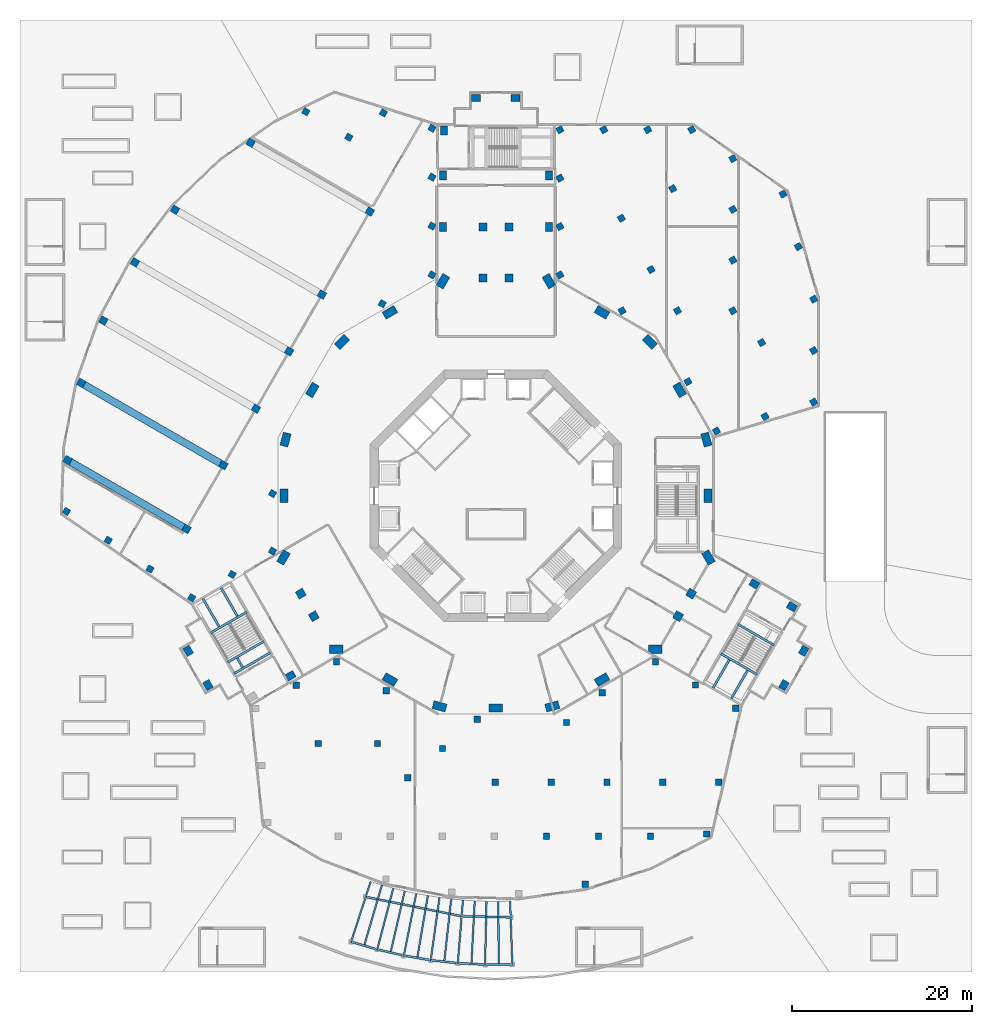
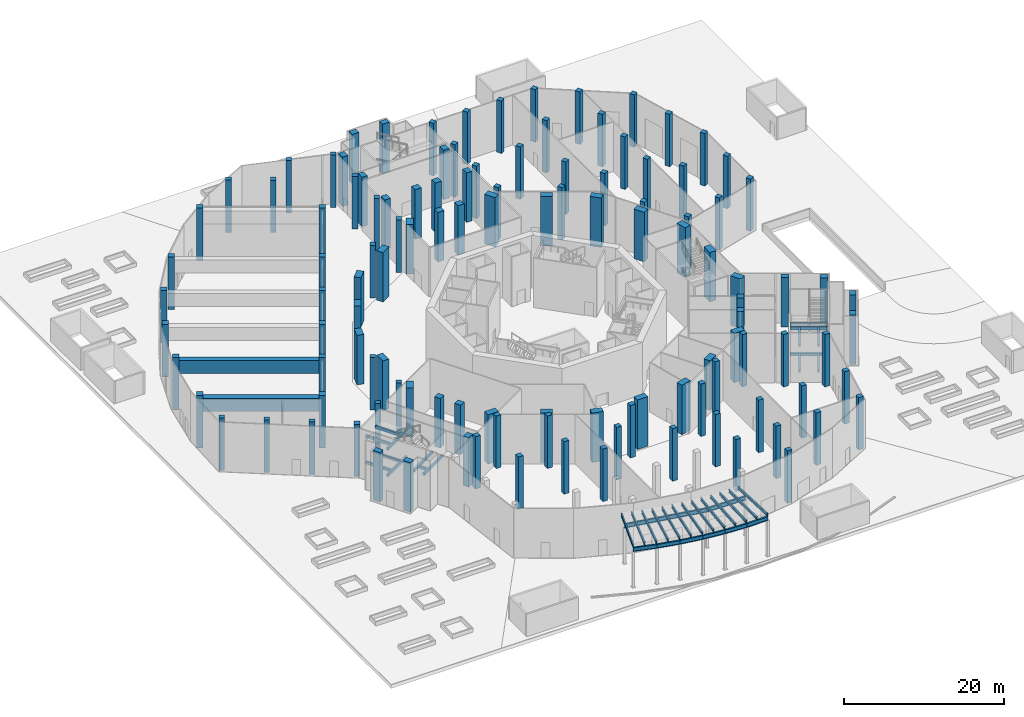
# One storey, part 2 of 30: 118 columns, 39 beams.
"""IFC4 building model written with IfcOpenShell, lengths in metres."""

from ifc_helpers import new_model, si_unit, direction, frame, origin, origin_2d, place, context, subcontext, project, spatial, rectangle, i_section, extrude, material, material_profile, profile_set, type_object, element, save


model = new_model("IFC4")

# Units and contexts
model_context = context("Model", 3, precision=1e-05, world=origin(), true_north=direction((0.0, 1.0)))
body_context = subcontext(model_context, "Body", "Model", "MODEL_VIEW")
ifc_project = project(units=[si_unit("LENGTHUNIT", "METRE"), si_unit("AREAUNIT", "SQUARE_METRE"), si_unit("VOLUMEUNIT", "CUBIC_METRE"), si_unit("PLANEANGLEUNIT", "RADIAN"), si_unit("MASSUNIT", "GRAM", prefix="KILO")], contexts=[model_context])

# Site, building, storey
site_placement = place(None, origin())
site = spatial("IfcSite", under=ifc_project, at=site_placement, CompositionType="ELEMENT")
building_placement = place(site_placement, origin())
building = spatial("IfcBuilding", under=site, at=building_placement, Name="Verdalira Terraces Hotel", CompositionType="ELEMENT")
storey_placement = place(building_placement, origin())
storey = spatial("IfcBuildingStorey", under=building, at=storey_placement, Name="L00", CompositionType="ELEMENT", Elevation=0.0)

# Columns
ifc_material_1 = material(Name="Concrete C80", Category="concrete")
ifc_material_profile_1 = material_profile(ifc_material_1, rectangle(XDim=1.0, YDim=0.800049, at=origin_2d()), Name="RC 1000X800")
ifc_profile_set_1 = profile_set([ifc_material_profile_1], Name="Concrete C80")
column_type_1 = type_object("IfcColumnType", Name="Column RC 1000X800 C80", PredefinedType="COLUMN", material=ifc_profile_set_1)
for number, where, z_axis, x_axis, name in (
    (1, (5.899902, 29.972168, 0.0), (0.0, 0.0, 1.0), (0.0, 1.0, 0.0), "Column C01"),
    (2, (5.899902, 35.686035, 0.0), (0.0, 0.0, 1.0), (0.0, 1.0, 0.0), "Column C02"),
    (3, (-5.800049, 40.699951, 0.0), (0.0, 0.0, 1.0), (0.0, -1.0, 0.0), "Column C03"),
    (4, (-5.899902, 35.686035, 0.0), (0.0, 0.0, 1.0), (0.0, -1.0, 0.0), "Column C04"),
    (5, (-5.899902, 29.972168, 0.0), (0.0, 0.0, 1.0), (0.0, -1.0, 0.0), "Column C05"),
    (6, (-34.268799, -17.244629, 0.0), (0.0, 0.0, 1.0), (0.5, -0.866025404, 0.0), "Column C13"),
    (7, (-32.068848, -21.05542, 0.0), (0.0, 0.0, 1.0), (0.5, -0.866025404, 0.0), "Column C14"),
    (8, (-22.882812, -20.02417, 0.0), (0.0, 0.0, 1.0), (0.866025404, 0.5, 0.0), "Column C16"),
    (9, (32.068848, -21.05542, 0.0), (0.0, 0.0, 1.0), (0.5, 0.866025404, 0.0), "Column C24"),
    (10, (34.268799, -17.244629, 0.0), (0.0, 0.0, 1.0), (0.5, 0.866025404, 0.0), "Column C25"),
    (11, (32.951172, -12.327148, 0.0), (0.0, 0.0, 1.0), (-0.866025404, 0.5, 0.0), "Column C26"),
    (12, (28.782715, -9.804932, 0.0), (0.0, 0.0, 1.0), (-0.866025404, 0.5, 0.0), "Column C27"),
    (13, (2.199951, 44.300049, 0.0), (0.0, 0.0, 1.0), (-1.0, 0.0, 0.0), "Column C35"),
    (14, (-2.199951, 44.300049, 0.0), (0.0, 0.0, 1.0), (-1.0, 0.0, 0.0), "Column C36"),
):
    element("IfcColumn", number, at=place(storey_placement, frame(where, z_axis=z_axis, x_axis=x_axis)), inside=storey, type_object=column_type_1, Name=name, PredefinedType="COLUMN", context=body_context, shape_type="SweptSolid", body=[
        extrude(rectangle(XDim=1.0, YDim=0.800049, at=origin_2d()), origin(), (0.0, 0.0, 1.0), 7.550049),
    ])
ifc_material_2 = material(Name="Concrete C80", Category="concrete")
ifc_material_profile_2 = material_profile(ifc_material_2, rectangle(XDim=1.5, YDim=0.899902, at=origin_2d()), Name="RC 1500X900")
ifc_profile_set_2 = profile_set([ifc_material_profile_2], Name="Concrete C80")
column_type_2 = type_object("IfcColumnType", Name="Column RC 1500X900 C80", PredefinedType="COLUMN", material=ifc_profile_set_2)
for number, where, z_axis, x_axis, name in (
    (15, (-5.899902, 23.911865, 0.0), (0.0, 0.0, 1.0), (0.5, 0.866025404, 0.0), "Column C06"),
    (16, (-11.804199, 20.445312, 0.0), (0.0, 0.0, 1.0), (-0.866025404, -0.5, 0.0), "Column C07"),
    (17, (-17.150635, 17.150635, 0.0), (0.0, 0.0, 1.0), (0.707106781, 0.707106781, 0.0), "Column C08"),
    (18, (-20.445312, 11.804199, 0.0), (0.0, 0.0, 1.0), (-0.5, -0.866025404, 0.0), "Column C09"),
    (19, (-23.428223, 6.277588, 0.0), (0.0, 0.0, 1.0), (0.258819045, 0.965925826, 0.0), "Column C10"),
    (20, (-23.608398, 0.0, 0.0), (0.0, 0.0, 1.0), (0.0, -1.0, 0.0), "Column C11"),
    (21, (-23.658203, -6.846436, 0.0), (0.0, 0.0, 1.0), (0.5, 0.866025404, 0.0), "Column C12"),
    (22, (-17.758301, -17.06543, 0.0), (0.0, 0.0, 1.0), (-1.0, 0.0, 0.0), "Column C17"),
    (23, (-11.804199, -20.445312, 0.0), (0.0, 0.0, 1.0), (0.866025404, -0.5, 0.0), "Column C18"),
    (24, (-6.277588, -23.428223, 0.0), (0.0, 0.0, 1.0), (-0.965925826, 0.258819045, 0.0), "Column C19"),
    (25, (0.0, -23.608398, 0.0), (0.0, 0.0, 1.0), (1.0, 0.0, 0.0), "Column C20"),
    (26, (6.277588, -23.428223, 0.0), (0.0, 0.0, 1.0), (-0.965925826, -0.258819045, 0.0), "Column C21"),
    (27, (11.804199, -20.445312, 0.0), (0.0, 0.0, 1.0), (0.866025404, 0.5, 0.0), "Column C22"),
    (28, (17.758301, -17.06543, 0.0), (0.0, 0.0, 1.0), (-1.0, 0.0, 0.0), "Column C23"),
    (29, (23.658203, -6.846436, 0.0), (0.0, 0.0, 1.0), (0.5, -0.866025404, 0.0), "Column C28"),
    (30, (23.608398, 0.0, 0.0), (0.0, 0.0, 1.0), (0.0, 1.0, 0.0), "Column C29"),
    (31, (23.428223, 6.277588, 0.0), (0.0, 0.0, 1.0), (0.258819045, -0.965925826, 0.0), "Column C30"),
    (32, (20.445312, 11.804199, 0.0), (0.0, 0.0, 1.0), (-0.5, 0.866025404, 0.0), "Column C31"),
    (33, (17.150635, 17.150635, 0.0), (0.0, 0.0, 1.0), (0.707106781, -0.707106781, 0.0), "Column C32"),
    (34, (11.804199, 20.445312, 0.0), (0.0, 0.0, 1.0), (-0.866025404, 0.5, 0.0), "Column C33"),
    (35, (5.899902, 23.911865, 0.0), (0.0, 0.0, 1.0), (0.5, -0.866025404, 0.0), "Column C34"),
):
    element("IfcColumn", number, at=place(storey_placement, frame(where, z_axis=z_axis, x_axis=x_axis)), inside=storey, type_object=column_type_2, Name=name, PredefinedType="COLUMN", context=body_context, shape_type="SweptSolid", body=[
        extrude(rectangle(XDim=1.5, YDim=0.899902, at=origin_2d()), origin(), (0.0, 0.0, 1.0), 7.550049),
    ])
ifc_material_3 = material(Name="Concrete C80", Category="concrete")
ifc_material_profile_3 = material_profile(ifc_material_3, rectangle(XDim=0.899902, YDim=0.899902, at=origin_2d()), Name="RC 900X900")
ifc_profile_set_3 = profile_set([ifc_material_profile_3], Name="Concrete C80")
column_type_3 = type_object("IfcColumnType", Name="Column RC 900X900 C80", PredefinedType="COLUMN", material=ifc_profile_set_3)
for number, where, z_axis, x_axis, name in (
    (36, (1.449951, 24.258301, 0.0), (0.0, 0.0, 1.0), (0.0, 1.0, 0.0), "Column C37"),
    (37, (-1.449951, 24.258301, 0.0), (0.0, 0.0, 1.0), (0.0, 1.0, 0.0), "Column C38"),
    (38, (1.449951, 29.972168, 0.0), (0.0, 0.0, 1.0), (0.0, 1.0, 0.0), "Column C39"),
    (39, (-1.449951, 29.972168, 0.0), (0.0, 0.0, 1.0), (0.0, 1.0, 0.0), "Column C40"),
    (40, (-21.733398, -10.873291, 0.0), (0.0, 0.0, 1.0), (-0.866025404, -0.5, 0.0), "Column C41"),
    (41, (-20.283203, -13.38501, 0.0), (0.0, 0.0, 1.0), (-0.866025404, -0.5, 0.0), "Column C42"),
    (42, (20.283203, -13.38501, 0.0), (0.0, 0.0, 1.0), (0.866025404, -0.5, 0.0), "Column C43"),
    (43, (21.733398, -10.873291, 0.0), (0.0, 0.0, 1.0), (0.866025404, -0.5, 0.0), "Column C44"),
):
    element("IfcColumn", number, at=place(storey_placement, frame(where, z_axis=z_axis, x_axis=x_axis)), inside=storey, type_object=column_type_3, Name=name, PredefinedType="COLUMN", context=body_context, shape_type="SweptSolid", body=[
        extrude(rectangle(XDim=0.899902, YDim=0.899902, at=origin_2d()), origin(), (0.0, 0.0, 1.0), 7.550049),
    ])
ifc_material_4 = material(Name="Concrete C60", Category="concrete")
ifc_material_profile_4 = material_profile(ifc_material_4, rectangle(XDim=0.699951, YDim=0.699951, at=origin_2d()), Name="RC 700X700")
ifc_profile_set_4 = profile_set([ifc_material_profile_4], Name="Concrete C60")
column_type_4 = type_object("IfcColumnType", Name="Wing column RC 700X700 Concrete C60", PredefinedType="COLUMN", material=ifc_profile_set_4)
for number, where, z_axis, x_axis, name in (
    (44, (-47.825439, -1.727783, 0.0), (0.0, 0.0, 1.0), (-0.866025404, 0.5, 0.0), "Wing column PC01"),
    (45, (-43.17627, -4.931152, 0.0), (0.0, 0.0, 1.0), (-0.866025404, 0.5, 0.0), "Wing column PC03"),
    (46, (-38.5271, -8.134521, 0.0), (0.0, 0.0, 1.0), (-0.866025404, 0.5, 0.0), "Wing column PC04"),
    (47, (-24.878418, -6.14209, 0.0), (0.0, 0.0, 1.0), (-0.866025404, 0.5, 0.0), "Wing column PC05"),
    (48, (-29.378174, -8.73999, 0.0), (0.0, 0.0, 1.0), (-0.866025404, 0.5, 0.0), "Wing column PC06"),
    (49, (-33.878174, -11.337891, 0.0), (0.0, 0.0, 1.0), (-0.866025404, 0.5, 0.0), "Wing column PC07"),
    (50, (-7.120117, 40.945801, 0.0), (0.0, 0.0, 1.0), (-0.866025404, 0.5, 0.0), "Wing column PC08"),
    (51, (-7.120117, 35.502686, 0.0), (0.0, 0.0, 1.0), (-0.866025404, 0.5, 0.0), "Wing column PC09"),
    (52, (-7.120117, 30.059326, 0.0), (0.0, 0.0, 1.0), (-0.866025404, 0.5, 0.0), "Wing column PC10"),
    (53, (-7.120117, 24.616211, 0.0), (0.0, 0.0, 1.0), (-0.866025404, 0.5, 0.0), "Wing column PC11"),
    (54, (-12.536133, 42.657227, 0.0), (0.0, 0.0, 1.0), (-0.866025404, 0.5, 0.0), "Wing column PC12"),
    (55, (-16.38208, 39.942139, 0.0), (0.0, 0.0, 1.0), (-0.866025404, 0.5, 0.0), "Wing column PC13"),
    (56, (-21.168457, 42.785889, 0.0), (0.0, 0.0, 1.0), (-0.866025404, 0.5, 0.0), "Wing column PC15"),
    (57, (-12.666016, 21.414307, 0.0), (0.0, 0.0, 1.0), (-0.866025404, 0.5, 0.0), "Wing column PC16"),
    (58, (-24.878418, 0.261963, 0.0), (0.0, 0.0, 1.0), (-0.866025404, 0.5, 0.0), "Wing column PC27"),
    (59, (-22.253418, -21.06958, 0.0), (0.0, 0.0, 1.0), (0.0, -1.0, 0.0), "Wing column PC29"),
    (60, (-17.758301, -18.474121, 0.0), (0.0, 0.0, 1.0), (0.0, -1.0, 0.0), "Wing column PC30"),
    (61, (-19.800049, -27.55835, 0.0), (0.0, 0.0, 1.0), (0.0, -1.0, 0.0), "Wing column PC32"),
    (62, (-12.212158, -21.67627, 0.0), (0.0, 0.0, 1.0), (0.0, -1.0, 0.0), "Wing column PC34"),
    (63, (-13.199951, -27.55835, 0.0), (0.0, 0.0, 1.0), (0.0, -1.0, 0.0), "Wing column PC35"),
    (64, (-9.82959, -31.37915, 0.0), (0.0, 0.0, 1.0), (0.0, -1.0, 0.0), "Wing column PC37"),
    (65, (-5.955811, -28.128662, 0.0), (0.0, 0.0, 1.0), (0.0, -1.0, 0.0), "Wing column PC40"),
    (66, (-2.082275, -24.878418, 0.0), (0.0, 0.0, 1.0), (0.0, -1.0, 0.0), "Wing column PC43"),
    (67, (-0.068848, -31.879883, 0.0), (0.0, 0.0, 1.0), (0.0, -1.0, 0.0), "Wing column PC45"),
    (68, (5.616211, -37.879883, 0.0), (0.0, 0.0, 1.0), (0.0, -1.0, 0.0), "Wing column PC47"),
    (69, (6.146729, -31.879883, 0.0), (0.0, 0.0, 1.0), (0.0, -1.0, 0.0), "Wing column PC48"),
    (70, (9.936035, -43.251221, 0.0), (0.0, 0.0, 1.0), (0.0, -1.0, 0.0), "Wing column PC49"),
    (71, (11.414551, -37.879883, 0.0), (0.0, 0.0, 1.0), (0.0, -1.0, 0.0), "Wing column PC50"),
    (72, (7.860107, -25.226807, 0.0), (0.0, 0.0, 1.0), (0.0, -1.0, 0.0), "Wing column PC51"),
    (73, (12.362549, -31.879883, 0.0), (0.0, 0.0, 1.0), (0.0, -1.0, 0.0), "Wing column PC52"),
    (74, (17.212891, -37.879883, 0.0), (0.0, 0.0, 1.0), (0.0, -1.0, 0.0), "Wing column PC53"),
    (75, (11.824707, -21.899902, 0.0), (0.0, 0.0, 1.0), (0.0, -1.0, 0.0), "Wing column PC54"),
    (76, (18.578125, -31.879883, 0.0), (0.0, 0.0, 1.0), (0.0, -1.0, 0.0), "Wing column PC55"),
    (77, (23.460449, -37.647217, 0.0), (0.0, 0.0, 1.0), (0.0, -1.0, 0.0), "Wing column PC56"),
    (78, (24.793945, -31.879883, 0.0), (0.0, 0.0, 1.0), (0.0, -1.0, 0.0), "Wing column PC57"),
    (79, (17.758301, -18.474121, 0.0), (0.0, 0.0, 1.0), (0.0, -1.0, 0.0), "Wing column PC58"),
    (80, (22.229004, -21.05542, 0.0), (0.0, 0.0, 1.0), (0.0, -1.0, 0.0), "Wing column PC59"),
    (81, (26.699951, -23.636719, 0.0), (0.0, 0.0, 1.0), (0.0, -1.0, 0.0), "Wing column PC60"),
    (82, (24.550293, 7.233887, 0.0), (0.0, 0.0, 1.0), (0.866025404, 0.5, 0.0), "Wing column PC61"),
    (83, (29.965088, 8.848145, 0.0), (0.0, 0.0, 1.0), (0.866025404, 0.5, 0.0), "Wing column PC62"),
    (84, (35.379883, 10.462158, 0.0), (0.0, 0.0, 1.0), (0.866025404, 0.5, 0.0), "Wing column PC63"),
    (85, (35.379883, 16.186768, 0.0), (0.0, 0.0, 1.0), (0.866025404, 0.5, 0.0), "Wing column PC64"),
    (86, (29.582031, 17.079102, 0.0), (0.0, 0.0, 1.0), (0.866025404, 0.5, 0.0), "Wing column PC65"),
    (87, (21.381348, 12.723145, 0.0), (0.0, 0.0, 1.0), (0.866025404, 0.5, 0.0), "Wing column PC66"),
    (88, (35.379883, 21.911377, 0.0), (0.0, 0.0, 1.0), (0.866025404, 0.5, 0.0), "Wing column PC67"),
    (89, (26.379883, 20.620117, 0.0), (0.0, 0.0, 1.0), (0.866025404, 0.5, 0.0), "Wing column PC68"),
    (90, (33.672852, 27.764893, 0.0), (0.0, 0.0, 1.0), (0.866025404, 0.5, 0.0), "Wing column PC69"),
    (91, (26.379883, 26.264893, 0.0), (0.0, 0.0, 1.0), (0.866025404, 0.5, 0.0), "Wing column PC70"),
    (92, (20.210938, 20.620117, 0.0), (0.0, 0.0, 1.0), (0.866025404, 0.5, 0.0), "Wing column PC71"),
    (93, (31.965576, 33.618164, 0.0), (0.0, 0.0, 1.0), (0.866025404, 0.5, 0.0), "Wing column PC72"),
    (94, (26.379883, 31.909912, 0.0), (0.0, 0.0, 1.0), (0.866025404, 0.5, 0.0), "Wing column PC73"),
    (95, (26.379883, 37.554688, 0.0), (0.0, 0.0, 1.0), (0.866025404, 0.5, 0.0), "Wing column PC74"),
    (96, (17.266113, 25.210693, 0.0), (0.0, 0.0, 1.0), (0.866025404, 0.5, 0.0), "Wing column PC75"),
    (97, (14.041748, 20.620117, 0.0), (0.0, 0.0, 1.0), (0.866025404, 0.5, 0.0), "Wing column PC76"),
    (98, (19.681885, 34.226562, 0.0), (0.0, 0.0, 1.0), (0.866025404, 0.5, 0.0), "Wing column PC77"),
    (99, (21.803467, 40.780029, 0.0), (0.0, 0.0, 1.0), (0.866025404, 0.5, 0.0), "Wing column PC78"),
    (100, (13.966309, 30.926514, 0.0), (0.0, 0.0, 1.0), (0.866025404, 0.5, 0.0), "Wing column PC79"),
    (101, (16.908936, 40.780029, 0.0), (0.0, 0.0, 1.0), (0.866025404, 0.5, 0.0), "Wing column PC80"),
    (102, (12.014404, 40.780029, 0.0), (0.0, 0.0, 1.0), (0.866025404, 0.5, 0.0), "Wing column PC81"),
    (103, (7.120117, 24.616211, 0.0), (0.0, 0.0, 1.0), (0.866025404, 0.5, 0.0), "Wing column PC82"),
    (104, (7.120117, 30.00415, 0.0), (0.0, 0.0, 1.0), (0.866025404, 0.5, 0.0), "Wing column PC83"),
    (105, (7.120117, 35.39209, 0.0), (0.0, 0.0, 1.0), (0.866025404, 0.5, 0.0), "Wing column PC84"),
    (106, (7.120117, 40.780029, 0.0), (0.0, 0.0, 1.0), (0.866025404, 0.5, 0.0), "Wing column PC85"),
):
    element("IfcColumn", number, at=place(storey_placement, frame(where, z_axis=z_axis, x_axis=x_axis)), inside=storey, type_object=column_type_4, Name=name, PredefinedType="COLUMN", context=body_context, shape_type="SweptSolid", body=[
        extrude(rectangle(XDim=0.699951, YDim=0.699951, at=origin_2d()), origin(), (0.0, 0.0, 1.0), 8.0),
    ])
ifc_material_5 = material(Name="Concrete C60", Category="concrete")
ifc_material_profile_5 = material_profile(ifc_material_5, rectangle(XDim=0.800049, YDim=0.800049, at=origin_2d()), Name="RC 800X800")
ifc_profile_set_5 = profile_set([ifc_material_profile_5], Name="Concrete C60")
column_type_5 = type_object("IfcColumnType", Name="Wing column RC 800X800 Concrete C60", PredefinedType="COLUMN", material=ifc_profile_set_5)
for number, where, z_axis, x_axis, name in (
    (107, (-34.44873, -3.666992, 0.0), (0.0, 0.0, 1.0), (-0.866025404, 0.5, 0.0), "Wing column PC02"),
    (108, (-14.048584, 31.666992, 0.0), (0.0, 0.0, 1.0), (-0.866025404, 0.5, 0.0), "Wing column PC14"),
    (109, (-27.311523, 39.324219, 0.0), (0.0, 0.0, 1.0), (-0.866025404, 0.5, 0.0), "Wing column PC17"),
    (110, (-19.383789, 22.426514, 0.0), (0.0, 0.0, 1.0), (-0.866025404, 0.5, 0.0), "Wing column PC18"),
    (111, (-35.733398, 31.865967, 0.0), (0.0, 0.0, 1.0), (-0.866025404, 0.5, 0.0), "Wing column PC19"),
    (112, (-23.038818, 16.095703, 0.0), (0.0, 0.0, 1.0), (-0.866025404, 0.5, 0.0), "Wing column PC20"),
    (113, (-40.200684, 26.004395, 0.0), (0.0, 0.0, 1.0), (-0.866025404, 0.5, 0.0), "Wing column PC21"),
    (114, (-43.71582, 19.525879, 0.0), (0.0, 0.0, 1.0), (-0.866025404, 0.5, 0.0), "Wing column PC22"),
    (115, (-26.722656, 9.714844, 0.0), (0.0, 0.0, 1.0), (-0.866025404, 0.5, 0.0), "Wing column PC23"),
    (116, (-46.194336, 12.585205, 0.0), (0.0, 0.0, 1.0), (-0.866025404, 0.5, 0.0), "Wing column PC24"),
    (117, (-30.347656, 3.436279, 0.0), (0.0, 0.0, 1.0), (-0.866025404, 0.5, 0.0), "Wing column PC25"),
    (118, (-47.71167, 3.990479, 0.0), (0.0, 0.0, 1.0), (-0.866025404, 0.5, 0.0), "Wing column PC26"),
):
    element("IfcColumn", number, at=place(storey_placement, frame(where, z_axis=z_axis, x_axis=x_axis)), inside=storey, type_object=column_type_5, Name=name, PredefinedType="COLUMN", context=body_context, shape_type="SweptSolid", body=[
        extrude(rectangle(XDim=0.800049, YDim=0.800049, at=origin_2d()), origin(), (0.0, 0.0, 1.0), 8.0),
    ])

# Beams
ifc_material_6 = material(Name="Concrete C60", Category="concrete")
ifc_material_profile_6 = material_profile(ifc_material_6, rectangle(XDim=0.800049, YDim=2.0, at=origin_2d()), Name="RC 800X2000")
ifc_profile_set_6 = profile_set([ifc_material_profile_6], Name="Concrete C60")
beam_type_1 = type_object("IfcBeamType", Name="Ballroom roof girder RC 800X2000 Concrete C60", PredefinedType="BEAM", material=ifc_profile_set_6)
beam_1_placement = place(storey_placement, frame((-30.347656, 3.436279, 6.550049), z_axis=(-0.866029166, 0.499993483, 0.0), x_axis=(-0.499993483, -0.866029166, 0.0)))
element("IfcBeam", 119, at=beam_1_placement, inside=storey, type_object=beam_type_1, Name="Ballroom roof girder GH5", PredefinedType="BEAM", context=body_context, shape_type="SweptSolid", body=[
    extrude(rectangle(XDim=0.800049, YDim=2.0, at=origin_2d()), origin(), (0.0, 0.0, 1.0), 18.298096),
])
beam_2_placement = place(storey_placement, frame((-34.44873, -3.666992, 6.550049), z_axis=(-0.866022321, 0.50000534, 0.0), x_axis=(-0.50000534, -0.866022321, 0.0)))
element("IfcBeam", 120, at=beam_2_placement, inside=storey, type_object=beam_type_1, Name="Ballroom roof girder GH6", PredefinedType="BEAM", context=body_context, shape_type="SweptSolid", body=[
    extrude(rectangle(XDim=0.800049, YDim=2.0, at=origin_2d()), origin(), (0.0, 0.0, 1.0), 15.314697),
])
ifc_material_7 = material(Name="Steel ASTM A992 Grade 50", Category="steel")
ifc_material_profile_7 = material_profile(ifc_material_7, i_section(OverallWidth=0.228271, OverallDepth=0.607178, WebThickness=0.01123, FlangeThickness=0.017334, FilletRadius=0.012695, at=origin_2d()), Name="W24X76")
ifc_profile_set_7 = profile_set([ifc_material_profile_7], Name="Steel ASTM A992 Grade 50")
beam_type_2 = type_object("IfcBeamType", Name="Canopy edge beam W24X76", PredefinedType="BEAM", material=ifc_profile_set_7)
for number, where, z_axis, x_axis, name in (
    (121, (-16.130615, -49.645264, 5.696533), (0.959654359, -0.281182345, 0.0), (0.281182345, 0.959654359, 0.0), "Canopy edge beam KB01"),
    (122, (-13.216797, -50.499023, 5.696533), (0.974364085, -0.224976953, 0.0), (0.224976953, 0.974364085, 0.0), "Canopy edge beam KB02"),
):
    element("IfcBeam", number, at=place(storey_placement, frame(where, z_axis=z_axis, x_axis=x_axis)), inside=storey, type_object=beam_type_2, Name=name, PredefinedType="BEAM", context=body_context, shape_type="SweptSolid", body=[
        extrude(i_section(OverallWidth=0.228271, OverallDepth=0.607178, WebThickness=0.01123, FlangeThickness=0.017334, FilletRadius=0.012695, at=origin_2d()), origin(), (0.0, 0.0, 1.0), 3.036377),
    ])
for number, where, z_axis, x_axis, name in (
    (123, (-10.258301, -51.182129, 5.696533), (0.985807583, -0.167879148, 0.0), (0.167879148, 0.985807583, 0.0), "Canopy edge beam KB03"),
    (124, (-7.264893, -51.691895, 5.696533), (0.993888636, -0.110387405, 0.0), (0.110387405, 0.993888636, 0.0), "Canopy edge beam KB04"),
):
    element("IfcBeam", number, at=place(storey_placement, frame(where, z_axis=z_axis, x_axis=x_axis)), inside=storey, type_object=beam_type_2, Name=name, PredefinedType="BEAM", context=body_context, shape_type="SweptSolid", body=[
        extrude(i_section(OverallWidth=0.228271, OverallDepth=0.607178, WebThickness=0.01123, FlangeThickness=0.017334, FilletRadius=0.012695, at=origin_2d()), origin(), (0.0, 0.0, 1.0), 3.036621),
    ])
for number, where, z_axis, x_axis, name in (
    (125, (-4.246826, -52.0271, 5.696533), (0.998633334, -0.052263419, 0.0), (0.052263419, 0.998633334, 0.0), "Canopy edge beam KB05"),
    (126, (-1.2146, -52.185791, 5.696533), (0.999983243, 0.00578908, 0.0), (-0.00578908, 0.999983243, 0.0), "Canopy edge beam KB06"),
):
    element("IfcBeam", number, at=place(storey_placement, frame(where, z_axis=z_axis, x_axis=x_axis)), inside=storey, type_object=beam_type_2, Name=name, PredefinedType="BEAM", context=body_context, shape_type="SweptSolid", body=[
        extrude(i_section(OverallWidth=0.228271, OverallDepth=0.607178, WebThickness=0.01123, FlangeThickness=0.017334, FilletRadius=0.012695, at=origin_2d()), origin(), (0.0, 0.0, 1.0), 3.036377),
    ])
beam_3_placement = place(storey_placement, frame((-14.508301, -44.6521, 5.696533), z_axis=(0.980498759, -0.196525277, 0.0), x_axis=(0.196525277, 0.980498759, 0.0)))
element("IfcBeam", 127, at=beam_3_placement, inside=storey, type_object=beam_type_2, Name="Canopy inner beam KJ01", PredefinedType="BEAM", context=body_context, shape_type="SweptSolid", body=[
    extrude(i_section(OverallWidth=0.228271, OverallDepth=0.607178, WebThickness=0.01123, FlangeThickness=0.017334, FilletRadius=0.012695, at=origin_2d()), origin(), (0.0, 0.0, 1.0), 10.901123),
])
beam_4_placement = place(storey_placement, frame((-3.819824, -46.794434, 5.696533), z_axis=(0.999729621, -0.023252646, 0.0), x_axis=(0.023252646, 0.999729621, 0.0)))
element("IfcBeam", 128, at=beam_4_placement, inside=storey, type_object=beam_type_2, Name="Canopy inner beam KJ02", PredefinedType="BEAM", context=body_context, shape_type="SweptSolid", body=[
    extrude(i_section(OverallWidth=0.228271, OverallDepth=0.607178, WebThickness=0.01123, FlangeThickness=0.017334, FilletRadius=0.012695, at=origin_2d()), origin(), (0.0, 0.0, 1.0), 5.459717),
])
ifc_material_8 = material(Name="Steel ASTM A992 Grade 50", Category="steel")
ifc_material_profile_8 = material_profile(ifc_material_8, i_section(OverallWidth=0.177734, OverallDepth=0.406494, WebThickness=0.007812, FlangeThickness=0.012939, FilletRadius=0.010254, at=origin_2d()), Name="W16X40")
ifc_profile_set_8 = profile_set([ifc_material_profile_8], Name="Steel ASTM A992 Grade 50")
beam_type_3 = type_object("IfcBeamType", Name="Canopy purlin W16X40", PredefinedType="JOIST", material=ifc_profile_set_8)
beam_5_placement = place(storey_placement, frame((-13.952148, -42.940186, 6.203125), z_axis=(-0.308998372, -0.951062567, 0.0), x_axis=(0.951062567, -0.308998372, 0.0)))
element("IfcBeam", 129, at=beam_5_placement, inside=storey, type_object=beam_type_3, Name="Canopy purlin KP01", PredefinedType="JOIST", context=body_context, shape_type="SweptSolid", body=[
    extrude(i_section(OverallWidth=0.177734, OverallDepth=0.406494, WebThickness=0.007812, FlangeThickness=0.012939, FilletRadius=0.010254, at=origin_2d()), origin(), (0.0, 0.0, 1.0), 7.050049),
])
beam_6_placement = place(storey_placement, frame((-12.697266, -43.327881, 6.203125), z_axis=(-0.281232496, -0.959639663, 0.0), x_axis=(0.959639663, -0.281232496, 0.0)))
element("IfcBeam", 130, at=beam_6_placement, inside=storey, type_object=beam_type_3, Name="Canopy purlin KP02", PredefinedType="JOIST", context=body_context, shape_type="SweptSolid", body=[
    extrude(i_section(OverallWidth=0.177734, OverallDepth=0.406494, WebThickness=0.007812, FlangeThickness=0.012939, FilletRadius=0.010254, at=origin_2d()), origin(), (0.0, 0.0, 1.0), 7.049805),
])
beam_7_placement = place(storey_placement, frame((-11.431885, -43.678711, 6.203125), z_axis=(-0.253178835, -0.967419494, 0.0), x_axis=(0.967419494, -0.253178835, 0.0)))
element("IfcBeam", 131, at=beam_7_placement, inside=storey, type_object=beam_type_3, Name="Canopy purlin KP03", PredefinedType="JOIST", context=body_context, shape_type="SweptSolid", body=[
    extrude(i_section(OverallWidth=0.177734, OverallDepth=0.406494, WebThickness=0.007812, FlangeThickness=0.012939, FilletRadius=0.010254, at=origin_2d()), origin(), (0.0, 0.0, 1.0), 7.050049),
])
beam_8_placement = place(storey_placement, frame((-10.156494, -43.99292, 6.203125), z_axis=(-0.224960674, -0.974367844, 0.0), x_axis=(0.974367844, -0.224960674, 0.0)))
element("IfcBeam", 132, at=beam_8_placement, inside=storey, type_object=beam_type_3, Name="Canopy purlin KP04", PredefinedType="JOIST", context=body_context, shape_type="SweptSolid", body=[
    extrude(i_section(OverallWidth=0.177734, OverallDepth=0.406494, WebThickness=0.007812, FlangeThickness=0.012939, FilletRadius=0.010254, at=origin_2d()), origin(), (0.0, 0.0, 1.0), 7.049805),
])
for number, where, z_axis, x_axis, name in (
    (133, (-8.872803, -44.269531, 6.203125), (-0.196522349, -0.980499345, 0.0), (0.980499345, -0.196522349, 0.0), "Canopy purlin KP05"),
    (134, (-7.581299, -44.508789, 6.203125), (-0.167918928, -0.985800808, 0.0), (0.985800808, -0.167918928, 0.0), "Canopy purlin KP06"),
):
    element("IfcBeam", number, at=place(storey_placement, frame(where, z_axis=z_axis, x_axis=x_axis)), inside=storey, type_object=beam_type_3, Name=name, PredefinedType="JOIST", context=body_context, shape_type="SweptSolid", body=[
        extrude(i_section(OverallWidth=0.177734, OverallDepth=0.406494, WebThickness=0.007812, FlangeThickness=0.012939, FilletRadius=0.010254, at=origin_2d()), origin(), (0.0, 0.0, 1.0), 7.050049),
    ])
for number, where, z_axis, x_axis, name in (
    (135, (-6.283691, -44.710693, 6.203125), (-0.139181076, -0.990266948, 0.0), (0.990266948, -0.139181076, 0.0), "Canopy purlin KP07"),
    (136, (-4.980713, -44.874512, 6.203125), (-0.110298493, -0.993898507, 0.0), (0.993898507, -0.110298493, 0.0), "Canopy purlin KP08"),
):
    element("IfcBeam", number, at=place(storey_placement, frame(where, z_axis=z_axis, x_axis=x_axis)), inside=storey, type_object=beam_type_3, Name=name, PredefinedType="JOIST", context=body_context, shape_type="SweptSolid", body=[
        extrude(i_section(OverallWidth=0.177734, OverallDepth=0.406494, WebThickness=0.007812, FlangeThickness=0.012939, FilletRadius=0.010254, at=origin_2d()), origin(), (0.0, 0.0, 1.0), 7.049805),
    ])
beam_9_placement = place(storey_placement, frame((-3.67334, -45.000244, 6.203125), z_axis=(-0.081343055, -0.996686163, 0.0), x_axis=(0.996686163, -0.081343055, 0.0)))
element("IfcBeam", 137, at=beam_9_placement, inside=storey, type_object=beam_type_3, Name="Canopy purlin KP09", PredefinedType="JOIST", context=body_context, shape_type="SweptSolid", body=[
    extrude(i_section(OverallWidth=0.177734, OverallDepth=0.406494, WebThickness=0.007812, FlangeThickness=0.012939, FilletRadius=0.010254, at=origin_2d()), origin(), (0.0, 0.0, 1.0), 7.050293),
])
for number, where, z_axis, x_axis, name in (
    (138, (-2.363037, -45.088135, 6.203125), (-0.052326178, -0.998630047, 0.0), (0.998630047, -0.052326178, 0.0), "Canopy purlin KP10"),
    (139, (-1.050537, -45.137695, 6.203125), (-0.02327126, -0.999729188, 0.0), (0.999729188, -0.02327126, 0.0), "Canopy purlin KP11"),
    (140, (0.262695, -45.14917, 6.203125), (0.00581768, -0.999983077, 0.0), (0.999983077, 0.00581768, 0.0), "Canopy purlin KP12"),
    (141, (1.575684, -45.122559, 6.203125), (0.034907158, -0.999390559, 0.0), (0.999390559, 0.034907158, 0.0), "Canopy purlin KP13"),
):
    element("IfcBeam", number, at=place(storey_placement, frame(where, z_axis=z_axis, x_axis=x_axis)), inside=storey, type_object=beam_type_3, Name=name, PredefinedType="JOIST", context=body_context, shape_type="SweptSolid", body=[
        extrude(i_section(OverallWidth=0.177734, OverallDepth=0.406494, WebThickness=0.007812, FlangeThickness=0.012939, FilletRadius=0.010254, at=origin_2d()), origin(), (0.0, 0.0, 1.0), 7.050049),
    ])
ifc_material_9 = material(Name="Concrete C40", Category="concrete")
ifc_material_profile_9 = material_profile(ifc_material_9, rectangle(XDim=0.25, YDim=0.399902, at=origin_2d()), Name="RC 250X400")
ifc_profile_set_9 = profile_set([ifc_material_profile_9], Name="Concrete C40")
beam_type_4 = type_object("IfcBeamType", Name="Stair landing beam RC 250X400 Concrete C40", PredefinedType="BEAM", material=ifc_profile_set_9)
beam_10_placement = place(storey_placement, frame((-27.726807, -12.915771, 1.600098), z_axis=(-0.866039014, -0.499976425, 0.0), x_axis=(0.499976425, -0.866039014, 0.0)))
element("IfcBeam", 142, at=beam_10_placement, inside=storey, type_object=beam_type_4, Name="Stair landing beam PS2-L00-1", PredefinedType="BEAM", context=body_context, shape_type="SweptSolid", body=[
    extrude(rectangle(XDim=0.25, YDim=0.399902, at=origin_2d()), origin(), (0.0, 0.0, 1.0), 4.659912),
])
for number, where, z_axis, x_axis, name in (
    (143, (-30.834473, -14.543213, 1.600098), (-0.499982164, 0.866035701, 0.0), (-0.866035701, -0.499982164, 0.0), "Stair landing beam PS2-L00-2"),
    (144, (-28.799316, -13.368164, 1.600098), (-0.499982164, 0.866035701, 0.0), (-0.866035701, -0.499982164, 0.0), "Stair landing beam PS2-L00-3"),
):
    element("IfcBeam", number, at=place(storey_placement, frame(where, z_axis=z_axis, x_axis=x_axis)), inside=storey, type_object=beam_type_4, Name=name, PredefinedType="BEAM", context=body_context, shape_type="SweptSolid", body=[
        extrude(rectangle(XDim=0.25, YDim=0.399902, at=origin_2d()), origin(), (0.0, 0.0, 1.0), 3.607666),
    ])
for number, where, z_axis, x_axis, name in (
    (145, (-25.112061, -17.44458, 3.600098), (-0.866016328, -0.500015719, 0.0), (0.500015719, -0.866016328, 0.0), "Stair landing beam PS2-L00-4"),
    (146, (-25.838867, -16.185791, 3.600098), (-0.866016328, -0.500015719, 0.0), (0.500015719, -0.866016328, 0.0), "Stair landing beam PS2-L00-5"),
):
    element("IfcBeam", number, at=place(storey_placement, frame(where, z_axis=z_axis, x_axis=x_axis)), inside=storey, type_object=beam_type_4, Name=name, PredefinedType="BEAM", context=body_context, shape_type="SweptSolid", body=[
        extrude(rectangle(XDim=0.25, YDim=0.399902, at=origin_2d()), origin(), (0.0, 0.0, 1.0), 4.659912),
    ])
beam_11_placement = place(storey_placement, frame((-28.219727, -19.072021, 3.600098), z_axis=(-0.49999466, 0.866028487, 0.0), x_axis=(-0.866028487, -0.49999466, 0.0)))
element("IfcBeam", 147, at=beam_11_placement, inside=storey, type_object=beam_type_4, Name="Stair landing beam PS2-L00-6", PredefinedType="BEAM", context=body_context, shape_type="SweptSolid", body=[
    extrude(rectangle(XDim=0.25, YDim=0.399902, at=origin_2d()), origin(), (0.0, 0.0, 1.0), 1.164551),
])
beam_12_placement = place(storey_placement, frame((-27.726807, -12.915771, 5.600098), z_axis=(-0.866039014, -0.499976425, 0.0), x_axis=(0.499976425, -0.866039014, 0.0)))
element("IfcBeam", 148, at=beam_12_placement, inside=storey, type_object=beam_type_4, Name="Stair landing beam PS2-L00-7", PredefinedType="BEAM", context=body_context, shape_type="SweptSolid", body=[
    extrude(rectangle(XDim=0.25, YDim=0.399902, at=origin_2d()), origin(), (0.0, 0.0, 1.0), 4.659912),
])
for number, where, z_axis, x_axis, name in (
    (149, (-30.834473, -14.543213, 5.600098), (-0.499982164, 0.866035701, 0.0), (-0.866035701, -0.499982164, 0.0), "Stair landing beam PS2-L00-8"),
    (150, (-28.799316, -13.368164, 5.600098), (-0.499982164, 0.866035701, 0.0), (-0.866035701, -0.499982164, 0.0), "Stair landing beam PS2-L00-9"),
):
    element("IfcBeam", number, at=place(storey_placement, frame(where, z_axis=z_axis, x_axis=x_axis)), inside=storey, type_object=beam_type_4, Name=name, PredefinedType="BEAM", context=body_context, shape_type="SweptSolid", body=[
        extrude(rectangle(XDim=0.25, YDim=0.399902, at=origin_2d()), origin(), (0.0, 0.0, 1.0), 3.607666),
    ])
beam_13_placement = place(storey_placement, frame((25.048828, -17.554199, 1.600098), z_axis=(0.866016328, -0.500015719, 0.0), x_axis=(0.500015719, 0.866016328, 0.0)))
element("IfcBeam", 151, at=beam_13_placement, inside=storey, type_object=beam_type_4, Name="Stair landing beam PS3-L00-1", PredefinedType="BEAM", context=body_context, shape_type="SweptSolid", body=[
    extrude(rectangle(XDim=0.25, YDim=0.399902, at=origin_2d()), origin(), (0.0, 0.0, 1.0), 4.659912),
])
beam_14_placement = place(storey_placement, frame((28.011963, -19.431885, 1.600098), z_axis=(-0.500011469, -0.866018782, 0.0), x_axis=(0.866018782, -0.500011469, 0.0)))
element("IfcBeam", 152, at=beam_14_placement, inside=storey, type_object=beam_type_4, Name="Stair landing beam PS3-L00-2", PredefinedType="BEAM", context=body_context, shape_type="SweptSolid", body=[
    extrude(rectangle(XDim=0.25, YDim=0.399902, at=origin_2d()), origin(), (0.0, 0.0, 1.0), 3.607422),
])
beam_15_placement = place(storey_placement, frame((25.976807, -18.256836, 1.600098), z_axis=(-0.499982164, -0.866035701, 0.0), x_axis=(0.866035701, -0.499982164, 0.0)))
element("IfcBeam", 153, at=beam_15_placement, inside=storey, type_object=beam_type_4, Name="Stair landing beam PS3-L00-3", PredefinedType="BEAM", context=body_context, shape_type="SweptSolid", body=[
    extrude(rectangle(XDim=0.25, YDim=0.399902, at=origin_2d()), origin(), (0.0, 0.0, 1.0), 3.607666),
])
for number, where, z_axis, x_axis, name in (
    (154, (26.936768, -14.28418, 3.600098), (0.866039014, -0.499976425, 0.0), (0.499976425, 0.866039014, 0.0), "Stair landing beam PS3-L00-5"),
    (155, (25.048828, -17.554199, 5.600098), (0.866016328, -0.500015719, 0.0), (0.500015719, 0.866016328, 0.0), "Stair landing beam PS3-L00-7"),
):
    element("IfcBeam", number, at=place(storey_placement, frame(where, z_axis=z_axis, x_axis=x_axis)), inside=storey, type_object=beam_type_4, Name=name, PredefinedType="BEAM", context=body_context, shape_type="SweptSolid", body=[
        extrude(rectangle(XDim=0.25, YDim=0.399902, at=origin_2d()), origin(), (0.0, 0.0, 1.0), 4.659912),
    ])
beam_16_placement = place(storey_placement, frame((28.011963, -19.431885, 5.600098), z_axis=(-0.500011469, -0.866018782, 0.0), x_axis=(0.866018782, -0.500011469, 0.0)))
element("IfcBeam", 156, at=beam_16_placement, inside=storey, type_object=beam_type_4, Name="Stair landing beam PS3-L00-8", PredefinedType="BEAM", context=body_context, shape_type="SweptSolid", body=[
    extrude(rectangle(XDim=0.25, YDim=0.399902, at=origin_2d()), origin(), (0.0, 0.0, 1.0), 3.607422),
])
beam_17_placement = place(storey_placement, frame((25.976807, -18.256836, 5.600098), z_axis=(-0.499982164, -0.866035701, 0.0), x_axis=(0.866035701, -0.499982164, 0.0)))
element("IfcBeam", 157, at=beam_17_placement, inside=storey, type_object=beam_type_4, Name="Stair landing beam PS3-L00-9", PredefinedType="BEAM", context=body_context, shape_type="SweptSolid", body=[
    extrude(rectangle(XDim=0.25, YDim=0.399902, at=origin_2d()), origin(), (0.0, 0.0, 1.0), 3.607666),
])

save(model, "model.ifc")
